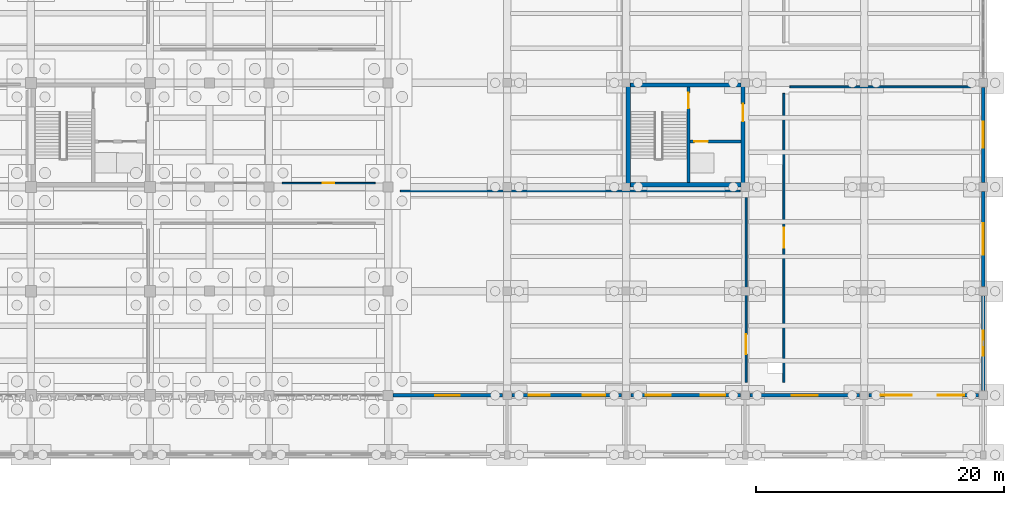
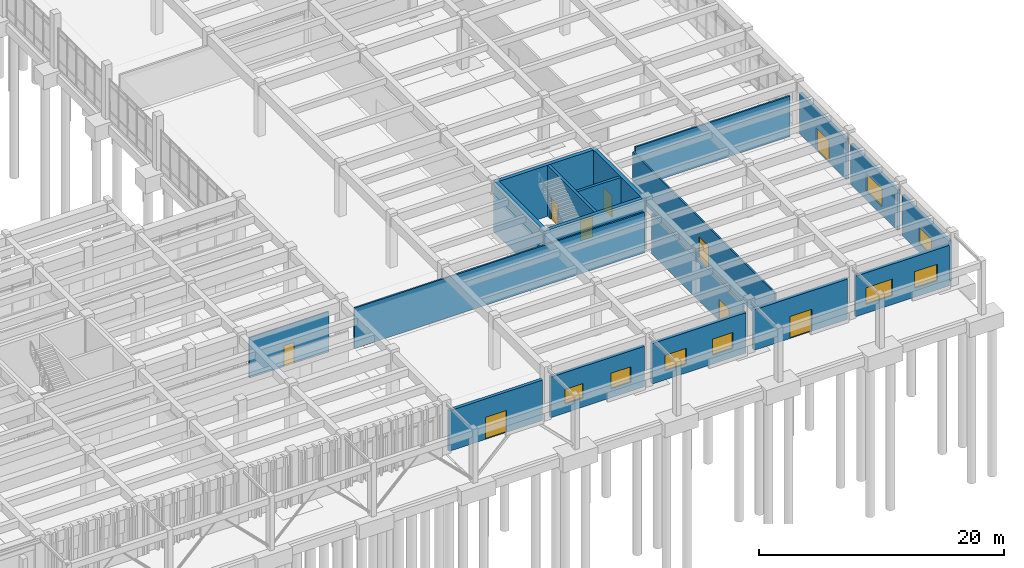
# One storey, part 83 of 102: 19 walls, 9 doors, 8 windows, 17 openings.
"""IFC4 building model written with IfcOpenShell, lengths in metres."""

from ifc_helpers import new_model, si_unit, direction, frame, frame_2d, origin, place, context, subcontext, project, spatial, rectangle, extrude, material, layer, layer_set, type_object, element, fill, save


model = new_model("IFC4")

# Units and contexts
model_context = context("Model", 3, precision=1e-05, world=origin(), true_north=direction((0.0, 1.0)))
body_context = subcontext(model_context, "Body", "Model", "MODEL_VIEW")
ifc_project = project(units=[si_unit("LENGTHUNIT", "METRE"), si_unit("AREAUNIT", "SQUARE_METRE"), si_unit("VOLUMEUNIT", "CUBIC_METRE"), si_unit("PLANEANGLEUNIT", "RADIAN"), si_unit("MASSUNIT", "GRAM", prefix="KILO")], contexts=[model_context])

# Site, building, storey
site_placement = place(None, origin())
site = spatial("IfcSite", under=ifc_project, at=site_placement, CompositionType="ELEMENT")
building_placement = place(site_placement, origin())
building = spatial("IfcBuilding", under=site, at=building_placement, Name="Kolvemor Railside Polytechnic", CompositionType="ELEMENT")
storey_placement = place(building_placement, origin())
storey = spatial("IfcBuildingStorey", under=building, at=storey_placement, Name="L00", CompositionType="ELEMENT", Elevation=0.0)

# Walls
ifc_material_1 = material(Name="Concrete C40/50", Category="concrete")
ifc_layer_1 = layer(ifc_material_1, 0.35009765625, Name="WL-CORE-350")
ifc_layer_set_1 = layer_set([ifc_layer_1], Name="Concrete C40/50")
wall_type_1 = type_object("IfcWallType", Name="WL-CORE-350", PredefinedType="SHEAR", material=ifc_layer_set_1)
for number, where, z_axis, x_axis, name in (
    (1, (153.60009765625, 29.824951171875, 0.0), (0.0, 0.0, 1.0), (1.0, 0.0, 0.0), "CORE-6 North Core Wall L00"),
    (2, (153.60009765625, 21.77490234375, 0.0), (0.0, 0.0, 1.0), (1.0, 0.0, 0.0), "CORE-6 South Core Wall L00"),
):
    element("IfcWall", number, at=place(storey_placement, frame(where, z_axis=z_axis, x_axis=x_axis)), inside=storey, type_object=wall_type_1, Name=name, PredefinedType="SHEAR", context=body_context, shape_type="SweptSolid", body=[
        extrude(rectangle(XDim=9.599853515625, YDim=0.35009765625, at=frame_2d((4.7998046875, 0.0))), origin(), (0.0, 0.0, 1.0), 5.110107421875),
    ])
wall_1_placement = place(storey_placement, frame((153.77490234375, 21.60009765625, 0.0), z_axis=(0.0, 0.0, 1.0), x_axis=(0.0, 1.0, 0.0)))
element("IfcWall", 3, at=wall_1_placement, inside=storey, type_object=wall_type_1, Name="CORE-6 West Core Wall L00", PredefinedType="SHEAR", context=body_context, shape_type="SweptSolid", body=[
    extrude(rectangle(XDim=8.39990234375, YDim=0.35009765625, at=frame_2d((4.199951171875, 0.0))), origin(), (0.0, 0.0, 1.0), 5.110107421875),
])

# Wall, opening, door
wall_2_placement = place(storey_placement, frame((163.02490234375, 21.60009765625, 0.0), z_axis=(0.0, 0.0, 1.0), x_axis=(0.0, 1.0, 0.0)))
wall_2 = element("IfcWall", 4, at=wall_2_placement, inside=storey, type_object=wall_type_1, Name="CORE-6 East Core Wall L00", PredefinedType="SHEAR", context=body_context, shape_type="SweptSolid", body=[
    extrude(rectangle(XDim=8.39990234375, YDim=0.35009765625, at=frame_2d((4.199951171875, 0.0))), origin(), (0.0, 0.0, 1.0), 5.110107421875),
])
opening_1_placement = place(wall_2_placement, frame((5.300048828125, 0.0, 0.0)))
opening_1 = element("IfcOpeningElement", 5, at=opening_1_placement, cuts=wall_2, Name="Opening D-LOB-6-L00", PredefinedType="OPENING", context=body_context, shape_type="SweptSolid", body=[
    extrude(rectangle(XDim=1.39990234375, YDim=2.14990234375, at=frame_2d((0.699951171875, 1.074951171875))), frame((0.0, 0.18505859375, 0.0), z_axis=(0.0, -1.0, 0.0), x_axis=(1.0, 0.0, 0.0)), (0.0, 0.0, 1.0), 0.3701171875),
])
ifc_material_2 = material(Name="Fire-rated hardwood and brushed stainless-steel door", Category="steel")
door_type_1 = type_object("IfcDoorType", Name="DR-FD60-140x215", OperationType="NOTDEFINED", PredefinedType="DOOR", material=ifc_material_2)
door_1_placement = place(opening_1_placement, origin())
door_1 = element("IfcDoor", 6, at=door_1_placement, inside=storey, type_object=door_type_1, Name="Core Lobby Fire Door CORE-6 L00", OperationType="SINGLE_SWING_RIGHT", OverallHeight=2.14990234375, OverallWidth=1.39990234375, PredefinedType="DOOR", context=body_context, shape_type="SweptSolid", body=[
    extrude(rectangle(XDim=1.39990234375, YDim=2.14990234375, at=frame_2d((0.699951171875, 1.074951171875))), frame((0.0, 0.02490234375, 0.0), z_axis=(0.0, -1.0, 0.0), x_axis=(1.0, 0.0, 0.0)), (0.0, 0.0, 1.0), 0.050048828125),
])
fill(opening_1, door_1)

# Wall, opening, window
ifc_material_3 = material(Name="Precast concrete C40/50", Category="concrete")
ifc_layer_2 = layer(ifc_material_3, 0.27001953125, Name="WL-EXT-RC-270")
ifc_layer_set_2 = layer_set([ifc_layer_2], Name="Precast concrete C40/50")
wall_type_2 = type_object("IfcWallType", Name="WL-EXT-RC-270", PredefinedType="SOLIDWALL", material=ifc_layer_set_2)
wall_3_placement = place(storey_placement, frame((182.39990234375, 5.179931640625, 0.0), z_axis=(0.0, 0.0, 1.0), x_axis=(0.0, 1.0, 0.0)))
wall_3 = element("IfcWall", 7, at=wall_3_placement, inside=storey, type_object=wall_type_2, Name="Exterior Wall L00-0044", PredefinedType="SOLIDWALL", context=body_context, shape_type="SweptSolid", body=[
    extrude(rectangle(XDim=7.64013671875, YDim=0.27001953125, at=frame_2d((3.820068359375, 0.0))), origin(), (0.0, 0.0, 1.0), 4.0400390625),
])
opening_2_placement = place(wall_3_placement, frame((2.794921875, 0.0, 0.89990234375)))
opening_2 = element("IfcOpeningElement", 8, at=opening_2_placement, cuts=wall_3, Name="Opening WN-M08", PredefinedType="OPENING", context=body_context, shape_type="SweptSolid", body=[
    extrude(rectangle(XDim=2.050048828125, YDim=1.60009765625, at=frame_2d((1.02490234375, 0.800048828125))), frame((0.0, 0.14501953125, 0.0), z_axis=(0.0, -1.0, 0.0), x_axis=(1.0, 0.0, 0.0)), (0.0, 0.0, 1.0), 0.2900390625),
])
ifc_material_4 = material(Name="Hurricane-laminated thermally broken aluminium window", Category="aluminium")
window_type_1 = type_object("IfcWindowType", Name="WN-MOD-205x160", PartitioningType="DOUBLE_PANEL_VERTICAL", PredefinedType="WINDOW", material=ifc_material_4)
window_1_placement = place(opening_2_placement, origin())
window_1 = element("IfcWindow", 9, at=window_1_placement, inside=storey, type_object=window_type_1, Name="Window L00-0041", OverallHeight=1.60009765625, OverallWidth=2.050048828125, PartitioningType="SINGLE_PANEL", PredefinedType="WINDOW", context=body_context, shape_type="SweptSolid", body=[
    extrude(rectangle(XDim=2.050048828125, YDim=1.60009765625, at=frame_2d((1.02490234375, 0.800048828125))), frame((0.0, 0.030029296875, 0.0), z_axis=(0.0, -1.0, 0.0), x_axis=(1.0, 0.0, 0.0)), (0.0, 0.0, 1.0), 0.06005859375),
])
fill(opening_2, window_1)

wall_4_placement = place(storey_placement, frame((182.39990234375, 13.580078125, 0.0), z_axis=(0.0, 0.0, 1.0), x_axis=(0.0, 1.0, 0.0)))
wall_4 = element("IfcWall", 10, at=wall_4_placement, inside=storey, type_object=wall_type_2, Name="Exterior Wall L00-0047", PredefinedType="SOLIDWALL", context=body_context, shape_type="SweptSolid", body=[
    extrude(rectangle(XDim=7.639892578125, YDim=0.27001953125, at=frame_2d((3.81982421875, 0.0))), origin(), (0.0, 0.0, 1.0), 4.0400390625),
])
opening_3_placement = place(wall_4_placement, frame((2.544921875, 0.0, 0.89990234375)))
opening_3 = element("IfcOpeningElement", 11, at=opening_3_placement, cuts=wall_4, Name="Opening WN-M13", PredefinedType="OPENING", context=body_context, shape_type="SweptSolid", body=[
    extrude(rectangle(XDim=2.550048828125, YDim=1.75, at=frame_2d((1.27490234375, 0.875))), frame((0.0, 0.14501953125, 0.0), z_axis=(0.0, -1.0, 0.0), x_axis=(1.0, 0.0, 0.0)), (0.0, 0.0, 1.0), 0.2900390625),
])
ifc_material_5 = material(Name="Hurricane-laminated thermally broken aluminium window", Category="aluminium")
window_type_2 = type_object("IfcWindowType", Name="WN-MOD-255x175", PartitioningType="DOUBLE_PANEL_VERTICAL", PredefinedType="WINDOW", material=ifc_material_5)
window_2_placement = place(opening_3_placement, origin())
window_2 = element("IfcWindow", 12, at=window_2_placement, inside=storey, type_object=window_type_2, Name="Window L00-0044", OverallHeight=1.75, OverallWidth=2.550048828125, PartitioningType="SINGLE_PANEL", PredefinedType="WINDOW", context=body_context, shape_type="SweptSolid", body=[
    extrude(rectangle(XDim=2.550048828125, YDim=1.75, at=frame_2d((1.27490234375, 0.875))), frame((0.0, 0.030029296875, 0.0), z_axis=(0.0, -1.0, 0.0), x_axis=(1.0, 0.0, 0.0)), (0.0, 0.0, 1.0), 0.06005859375),
])
fill(opening_3, window_2)

# Wall, opening, door
wall_5_placement = place(storey_placement, frame((182.39990234375, 21.97998046875, 0.0), z_axis=(0.0, 0.0, 1.0), x_axis=(0.0, 1.0, 0.0)))
wall_5 = element("IfcWall", 13, at=wall_5_placement, inside=storey, type_object=wall_type_2, Name="Exterior Wall L00-0055", PredefinedType="SOLIDWALL", context=body_context, shape_type="SweptSolid", body=[
    extrude(rectangle(XDim=7.64013671875, YDim=0.27001953125, at=frame_2d((3.820068359375, 0.0))), origin(), (0.0, 0.0, 1.0), 4.0400390625),
])
opening_4_placement = place(wall_5_placement, frame((2.77001953125, 0.0, 0.0)))
opening_4 = element("IfcOpeningElement", 14, at=opening_4_placement, cuts=wall_5, Name="Opening EX-06", PredefinedType="OPENING", context=body_context, shape_type="SweptSolid", body=[
    extrude(rectangle(XDim=2.10009765625, YDim=2.199951171875, at=frame_2d((1.050048828125, 1.10009765625))), frame((0.0, 0.14501953125, 0.0), z_axis=(0.0, -1.0, 0.0), x_axis=(1.0, 0.0, 0.0)), (0.0, 0.0, 1.0), 0.2900390625),
])
ifc_material_6 = material(Name="Marine-grade thermally broken aluminium and laminated glass door", Category="aluminium")
door_type_2 = type_object("IfcDoorType", Name="DR-EXIT-210x220", OperationType="NOTDEFINED", PredefinedType="DOOR", material=ifc_material_6)
door_2_placement = place(opening_4_placement, origin())
door_2 = element("IfcDoor", 15, at=door_2_placement, inside=storey, type_object=door_type_2, Name="Exterior Door EX-06", OperationType="SINGLE_SWING_LEFT", OverallHeight=2.199951171875, OverallWidth=2.10009765625, PredefinedType="DOOR", context=body_context, shape_type="SweptSolid", body=[
    extrude(rectangle(XDim=2.10009765625, YDim=2.199951171875, at=frame_2d((1.050048828125, 1.10009765625))), frame((0.0, 0.02490234375, 0.0), z_axis=(0.0, -1.0, 0.0), x_axis=(1.0, 0.0, 0.0)), (0.0, 0.0, 1.0), 0.050048828125),
])
fill(opening_4, door_2)

ifc_material_7 = material(Name="Concrete C40/50", Category="concrete")
ifc_layer_3 = layer(ifc_material_7, 0.300048828125, Name="WL-EXT-RC-300")
ifc_layer_set_3 = layer_set([ifc_layer_3], Name="Concrete C40/50")
wall_type_3 = type_object("IfcWallType", Name="WL-EXT-RC-300", PredefinedType="SOLIDWALL", material=ifc_layer_set_3)
wall_6_placement = place(storey_placement, frame((134.780029296875, 4.800048828125, 0.0), z_axis=(0.0, 0.0, 1.0), x_axis=(1.0, 0.0, 0.0)))
wall_6 = element("IfcWall", 16, at=wall_6_placement, inside=storey, type_object=wall_type_3, Name="Exterior Wall L00-0100", PredefinedType="SOLIDWALL", context=body_context, shape_type="SweptSolid", body=[
    extrude(rectangle(XDim=8.840087890625, YDim=0.300048828125, at=frame_2d((4.419921875, 0.0))), origin(), (0.0, 0.0, 1.0), 4.0400390625),
])
opening_5_placement = place(wall_6_placement, frame((3.419921875, 0.0, 0.0)))
opening_5 = element("IfcOpeningElement", 17, at=opening_5_placement, cuts=wall_6, Name="Opening EX-15", PredefinedType="OPENING", context=body_context, shape_type="SweptSolid", body=[
    extrude(rectangle(XDim=2.0, YDim=2.199951171875, at=frame_2d((1.0, 1.10009765625))), frame((0.0, 0.159912109375, 0.0), z_axis=(0.0, -1.0, 0.0), x_axis=(1.0, 0.0, 0.0)), (0.0, 0.0, 1.0), 0.320068359375),
])
ifc_material_8 = material(Name="Marine-grade thermally broken aluminium and laminated glass door", Category="aluminium")
door_type_3 = type_object("IfcDoorType", Name="DR-EXIT-200x220", OperationType="NOTDEFINED", PredefinedType="DOOR", material=ifc_material_8)
door_3_placement = place(opening_5_placement, origin())
door_3 = element("IfcDoor", 18, at=door_3_placement, inside=storey, type_object=door_type_3, Name="Exterior Door EX-15", OperationType="SINGLE_SWING_LEFT", OverallHeight=2.199951171875, OverallWidth=2.0, PredefinedType="DOOR", context=body_context, shape_type="SweptSolid", body=[
    extrude(rectangle(XDim=2.0, YDim=2.199951171875, at=frame_2d((1.0, 1.10009765625))), frame((0.0, 0.02490234375, 0.0), z_axis=(0.0, -1.0, 0.0), x_axis=(1.0, 0.0, 0.0)), (0.0, 0.0, 1.0), 0.050048828125),
])
fill(opening_5, door_3)

# Wall, openings, windows
wall_7_placement = place(storey_placement, frame((144.3798828125, 4.800048828125, 0.0), z_axis=(0.0, 0.0, 1.0), x_axis=(1.0, 0.0, 0.0)))
wall_7 = element("IfcWall", 19, at=wall_7_placement, inside=storey, type_object=wall_type_3, Name="Exterior Wall L00-0101", PredefinedType="SOLIDWALL", context=body_context, shape_type="SweptSolid", body=[
    extrude(rectangle(XDim=8.840087890625, YDim=0.300048828125, at=frame_2d((4.419921875, 0.0))), origin(), (0.0, 0.0, 1.0), 4.0400390625),
])
opening_6_placement = place(wall_7_placement, frame((1.360107421875, 0.0, 0.89990234375)))
opening_6 = element("IfcOpeningElement", 20, at=opening_6_placement, cuts=wall_7, Name="Opening WN-M19", PredefinedType="OPENING", context=body_context, shape_type="SweptSolid", body=[
    extrude(rectangle(XDim=1.699951171875, YDim=1.449951171875, at=frame_2d((0.85009765625, 0.72509765625))), frame((0.0, 0.159912109375, 0.0), z_axis=(0.0, -1.0, 0.0), x_axis=(1.0, 0.0, 0.0)), (0.0, 0.0, 1.0), 0.320068359375),
])
opening_7_placement = place(wall_7_placement, frame((5.705078125, 0.0, 0.89990234375)))
opening_7 = element("IfcOpeningElement", 21, at=opening_7_placement, cuts=wall_7, Name="Opening WN-M06", PredefinedType="OPENING", context=body_context, shape_type="SweptSolid", body=[
    extrude(rectangle(XDim=1.85009765625, YDim=1.550048828125, at=frame_2d((0.925048828125, 0.77490234375))), frame((0.0, 0.159912109375, 0.0), z_axis=(0.0, -1.0, 0.0), x_axis=(1.0, 0.0, 0.0)), (0.0, 0.0, 1.0), 0.320068359375),
])
ifc_material_9 = material(Name="Hurricane-laminated thermally broken aluminium window", Category="aluminium")
window_type_3 = type_object("IfcWindowType", Name="WN-MOD-170x145", PartitioningType="SINGLE_PANEL", PredefinedType="WINDOW", material=ifc_material_9)
window_3_placement = place(opening_6_placement, origin())
window_3 = element("IfcWindow", 22, at=window_3_placement, inside=storey, type_object=window_type_3, Name="Window L00-0100", OverallHeight=1.449951171875, OverallWidth=1.699951171875, PartitioningType="SINGLE_PANEL", PredefinedType="WINDOW", context=body_context, shape_type="SweptSolid", body=[
    extrude(rectangle(XDim=1.699951171875, YDim=1.449951171875, at=frame_2d((0.85009765625, 0.72509765625))), frame((0.0, 0.030029296875, 0.0), z_axis=(0.0, -1.0, 0.0), x_axis=(1.0, 0.0, 0.0)), (0.0, 0.0, 1.0), 0.06005859375),
])
fill(opening_6, window_3)
ifc_material_10 = material(Name="Hurricane-laminated thermally broken aluminium window", Category="aluminium")
window_type_4 = type_object("IfcWindowType", Name="WN-MOD-185x155", PartitioningType="DOUBLE_PANEL_VERTICAL", PredefinedType="WINDOW", material=ifc_material_10)
window_4_placement = place(opening_7_placement, origin())
window_4 = element("IfcWindow", 23, at=window_4_placement, inside=storey, type_object=window_type_4, Name="Window L00-0101", OverallHeight=1.550048828125, OverallWidth=1.85009765625, PartitioningType="SINGLE_PANEL", PredefinedType="WINDOW", context=body_context, shape_type="SweptSolid", body=[
    extrude(rectangle(XDim=1.85009765625, YDim=1.550048828125, at=frame_2d((0.925048828125, 0.77490234375))), frame((0.0, 0.030029296875, 0.0), z_axis=(0.0, -1.0, 0.0), x_axis=(1.0, 0.0, 0.0)), (0.0, 0.0, 1.0), 0.06005859375),
])
fill(opening_7, window_4)

wall_8_placement = place(storey_placement, frame((153.97998046875, 4.800048828125, 0.0), z_axis=(0.0, 0.0, 1.0), x_axis=(1.0, 0.0, 0.0)))
wall_8 = element("IfcWall", 24, at=wall_8_placement, inside=storey, type_object=wall_type_3, Name="Exterior Wall L00-0102", PredefinedType="SOLIDWALL", context=body_context, shape_type="SweptSolid", body=[
    extrude(rectangle(XDim=8.840087890625, YDim=0.300048828125, at=frame_2d((4.419921875, 0.0))), origin(), (0.0, 0.0, 1.0), 4.0400390625),
])
opening_8_placement = place(wall_8_placement, frame((1.2099609375, 0.0, 0.89990234375)))
opening_8 = element("IfcOpeningElement", 25, at=opening_8_placement, cuts=wall_8, Name="Opening WN-M20", PredefinedType="OPENING", context=body_context, shape_type="SweptSolid", body=[
    extrude(rectangle(XDim=2.0, YDim=1.550048828125, at=frame_2d((1.0, 0.77490234375))), frame((0.0, 0.159912109375, 0.0), z_axis=(0.0, -1.0, 0.0), x_axis=(1.0, 0.0, 0.0)), (0.0, 0.0, 1.0), 0.320068359375),
])
opening_9_placement = place(wall_8_placement, frame((5.655029296875, 0.0, 0.89990234375)))
opening_9 = element("IfcOpeningElement", 26, at=opening_9_placement, cuts=wall_8, Name="Opening WN-M07", PredefinedType="OPENING", context=body_context, shape_type="SweptSolid", body=[
    extrude(rectangle(XDim=1.949951171875, YDim=1.60009765625, at=frame_2d((0.97509765625, 0.800048828125))), frame((0.0, 0.159912109375, 0.0), z_axis=(0.0, -1.0, 0.0), x_axis=(1.0, 0.0, 0.0)), (0.0, 0.0, 1.0), 0.320068359375),
])
ifc_material_11 = material(Name="Hurricane-laminated thermally broken aluminium window", Category="aluminium")
window_type_5 = type_object("IfcWindowType", Name="WN-MOD-195x160", PartitioningType="DOUBLE_PANEL_VERTICAL", PredefinedType="WINDOW", material=ifc_material_11)
window_5_placement = place(opening_9_placement, origin())
window_5 = element("IfcWindow", 27, at=window_5_placement, inside=storey, type_object=window_type_5, Name="Window L00-0103", OverallHeight=1.60009765625, OverallWidth=1.949951171875, PartitioningType="SINGLE_PANEL", PredefinedType="WINDOW", context=body_context, shape_type="SweptSolid", body=[
    extrude(rectangle(XDim=1.949951171875, YDim=1.60009765625, at=frame_2d((0.97509765625, 0.800048828125))), frame((0.0, 0.030029296875, 0.0), z_axis=(0.0, -1.0, 0.0), x_axis=(1.0, 0.0, 0.0)), (0.0, 0.0, 1.0), 0.06005859375),
])
fill(opening_9, window_5)
ifc_material_12 = material(Name="Hurricane-laminated thermally broken aluminium window", Category="aluminium")
window_type_6 = type_object("IfcWindowType", Name="WN-MOD-200x155", PartitioningType="DOUBLE_PANEL_VERTICAL", PredefinedType="WINDOW", material=ifc_material_12)
window_6_placement = place(opening_8_placement, origin())
window_6 = element("IfcWindow", 28, at=window_6_placement, inside=storey, type_object=window_type_6, Name="Window L00-0102", OverallHeight=1.550048828125, OverallWidth=2.0, PartitioningType="SINGLE_PANEL", PredefinedType="WINDOW", context=body_context, shape_type="SweptSolid", body=[
    extrude(rectangle(XDim=2.0, YDim=1.550048828125, at=frame_2d((1.0, 0.77490234375))), frame((0.0, 0.030029296875, 0.0), z_axis=(0.0, -1.0, 0.0), x_axis=(1.0, 0.0, 0.0)), (0.0, 0.0, 1.0), 0.06005859375),
])
fill(opening_8, window_6)

# Wall, opening, door
wall_9_placement = place(storey_placement, frame((163.580078125, 4.800048828125, 0.0), z_axis=(0.0, 0.0, 1.0), x_axis=(1.0, 0.0, 0.0)))
wall_9 = element("IfcWall", 29, at=wall_9_placement, inside=storey, type_object=wall_type_3, Name="Exterior Wall L00-0103", PredefinedType="SOLIDWALL", context=body_context, shape_type="SweptSolid", body=[
    extrude(rectangle(XDim=8.83984375, YDim=0.300048828125, at=frame_2d((4.419921875, 0.0))), origin(), (0.0, 0.0, 1.0), 4.0400390625),
])
opening_10_placement = place(wall_9_placement, frame((3.3701171875, 0.0, 0.0)))
opening_10 = element("IfcOpeningElement", 30, at=opening_10_placement, cuts=wall_9, Name="Opening EX-16", PredefinedType="OPENING", context=body_context, shape_type="SweptSolid", body=[
    extrude(rectangle(XDim=2.10009765625, YDim=2.199951171875, at=frame_2d((1.050048828125, 1.10009765625))), frame((0.0, 0.159912109375, 0.0), z_axis=(0.0, -1.0, 0.0), x_axis=(1.0, 0.0, 0.0)), (0.0, 0.0, 1.0), 0.320068359375),
])
door_4_placement = place(opening_10_placement, origin())
door_4 = element("IfcDoor", 31, at=door_4_placement, inside=storey, type_object=door_type_2, Name="Exterior Door EX-16", OperationType="SINGLE_SWING_RIGHT", OverallHeight=2.199951171875, OverallWidth=2.10009765625, PredefinedType="DOOR", context=body_context, shape_type="SweptSolid", body=[
    extrude(rectangle(XDim=2.10009765625, YDim=2.199951171875, at=frame_2d((1.050048828125, 1.10009765625))), frame((0.0, 0.02490234375, 0.0), z_axis=(0.0, -1.0, 0.0), x_axis=(1.0, 0.0, 0.0)), (0.0, 0.0, 1.0), 0.050048828125),
])
fill(opening_10, door_4)

# Wall, openings, windows
wall_10_placement = place(storey_placement, frame((173.179931640625, 4.800048828125, 0.0), z_axis=(0.0, 0.0, 1.0), x_axis=(1.0, 0.0, 0.0)))
wall_10 = element("IfcWall", 32, at=wall_10_placement, inside=storey, type_object=wall_type_3, Name="Exterior Wall L00-0104", PredefinedType="SOLIDWALL", context=body_context, shape_type="SweptSolid", body=[
    extrude(rectangle(XDim=8.840087890625, YDim=0.300048828125, at=frame_2d((4.419921875, 0.0))), origin(), (0.0, 0.0, 1.0), 4.0400390625),
])
opening_11_placement = place(wall_10_placement, frame((0.9599609375, 0.0, 0.89990234375)))
opening_11 = element("IfcOpeningElement", 33, at=opening_11_placement, cuts=wall_10, Name="Opening WN-M22", PredefinedType="OPENING", context=body_context, shape_type="SweptSolid", body=[
    extrude(rectangle(XDim=2.5, YDim=1.64990234375, at=frame_2d((1.25, 0.824951171875))), frame((0.0, 0.159912109375, 0.0), z_axis=(0.0, -1.0, 0.0), x_axis=(1.0, 0.0, 0.0)), (0.0, 0.0, 1.0), 0.320068359375),
])
opening_12_placement = place(wall_10_placement, frame((5.554931640625, 0.0, 0.89990234375)))
opening_12 = element("IfcOpeningElement", 34, at=opening_12_placement, cuts=wall_10, Name="Opening WN-M09", PredefinedType="OPENING", context=body_context, shape_type="SweptSolid", body=[
    extrude(rectangle(XDim=2.14990234375, YDim=1.64990234375, at=frame_2d((1.074951171875, 0.824951171875))), frame((0.0, 0.159912109375, 0.0), z_axis=(0.0, -1.0, 0.0), x_axis=(1.0, 0.0, 0.0)), (0.0, 0.0, 1.0), 0.320068359375),
])
ifc_material_13 = material(Name="Hurricane-laminated thermally broken aluminium window", Category="aluminium")
window_type_7 = type_object("IfcWindowType", Name="WN-MOD-215x165", PartitioningType="DOUBLE_PANEL_VERTICAL", PredefinedType="WINDOW", material=ifc_material_13)
window_7_placement = place(opening_12_placement, origin())
window_7 = element("IfcWindow", 35, at=window_7_placement, inside=storey, type_object=window_type_7, Name="Window L00-0105", OverallHeight=1.64990234375, OverallWidth=2.14990234375, PartitioningType="SINGLE_PANEL", PredefinedType="WINDOW", context=body_context, shape_type="SweptSolid", body=[
    extrude(rectangle(XDim=2.14990234375, YDim=1.64990234375, at=frame_2d((1.074951171875, 0.824951171875))), frame((0.0, 0.030029296875, 0.0), z_axis=(0.0, -1.0, 0.0), x_axis=(1.0, 0.0, 0.0)), (0.0, 0.0, 1.0), 0.06005859375),
])
fill(opening_12, window_7)
ifc_material_14 = material(Name="Hurricane-laminated thermally broken aluminium window", Category="aluminium")
window_type_8 = type_object("IfcWindowType", Name="WN-MOD-250x165", PartitioningType="DOUBLE_PANEL_VERTICAL", PredefinedType="WINDOW", material=ifc_material_14)
window_8_placement = place(opening_11_placement, origin())
window_8 = element("IfcWindow", 36, at=window_8_placement, inside=storey, type_object=window_type_8, Name="Window L00-0104", OverallHeight=1.64990234375, OverallWidth=2.5, PartitioningType="SINGLE_PANEL", PredefinedType="WINDOW", context=body_context, shape_type="SweptSolid", body=[
    extrude(rectangle(XDim=2.5, YDim=1.64990234375, at=frame_2d((1.25, 0.824951171875))), frame((0.0, 0.030029296875, 0.0), z_axis=(0.0, -1.0, 0.0), x_axis=(1.0, 0.0, 0.0)), (0.0, 0.0, 1.0), 0.06005859375),
])
fill(opening_11, window_8)

# Wall, opening, door
ifc_material_15 = material(Name="Wet-area tile-backer partition")
ifc_layer_4 = layer(ifc_material_15, 0.1201171875, Name="WL-PART-120")
ifc_layer_set_4 = layer_set([ifc_layer_4], Name="Wet-area tile-backer partition")
wall_type_4 = type_object("IfcWallType", Name="WL-PART-120", PredefinedType="PARTITIONING", material=ifc_layer_set_4)
wall_11_placement = place(storey_placement, frame((125.85009765625, 21.919921875, 0.0), z_axis=(0.0, 0.0, 1.0), x_axis=(1.0, 0.0, 0.0)))
wall_11 = element("IfcWall", 37, at=wall_11_placement, inside=storey, type_object=wall_type_4, Name="Partition Wall L00-0055", PredefinedType="PARTITIONING", context=body_context, shape_type="SweptSolid", body=[
    extrude(rectangle(XDim=7.5, YDim=0.1201171875, at=frame_2d((3.75, 0.0))), origin(), (0.0, 0.0, 1.0), 4.0400390625),
])
opening_13_placement = place(wall_11_placement, frame((3.27490234375, 0.0, 0.0)))
opening_13 = element("IfcOpeningElement", 38, at=opening_13_placement, cuts=wall_11, Name="Opening D-00032", PredefinedType="OPENING", context=body_context, shape_type="SweptSolid", body=[
    extrude(rectangle(XDim=0.949951171875, YDim=2.10009765625, at=frame_2d((0.47509765625, 1.050048828125))), frame((0.0, 0.070068359375, 0.0), z_axis=(0.0, -1.0, 0.0), x_axis=(1.0, 0.0, 0.0)), (0.0, 0.0, 1.0), 0.14013671875),
])
ifc_material_16 = material(Name="Solid hardwood acoustic door", Category="wood")
door_type_4 = type_object("IfcDoorType", Name="DR-WC-095x210", OperationType="NOTDEFINED", PredefinedType="DOOR", material=ifc_material_16)
door_5_placement = place(opening_13_placement, origin())
door_5 = element("IfcDoor", 39, at=door_5_placement, inside=storey, type_object=door_type_4, Name="Room Door D-00032 (Main Stack Accessible WC L00)", OperationType="SINGLE_SWING_LEFT", OverallHeight=2.10009765625, OverallWidth=0.949951171875, PredefinedType="DOOR", context=body_context, shape_type="SweptSolid", body=[
    extrude(rectangle(XDim=0.949951171875, YDim=2.10009765625, at=frame_2d((0.47509765625, 1.050048828125))), frame((0.0, 0.02490234375, 0.0), z_axis=(0.0, -1.0, 0.0), x_axis=(1.0, 0.0, 0.0)), (0.0, 0.0, 1.0), 0.050048828125),
])
fill(opening_13, door_5)

ifc_material_17 = material(Name="Acoustic studio partition")
ifc_layer_5 = layer(ifc_material_17, 0.14990234375, Name="WL-PART-150")
ifc_layer_set_5 = layer_set([ifc_layer_5], Name="Acoustic studio partition")
wall_type_5 = type_object("IfcWallType", Name="WL-PART-150", PredefinedType="PARTITIONING", material=ifc_layer_set_5)
wall_12_placement = place(storey_placement, frame((163.280029296875, 5.85009765625, 0.0), z_axis=(0.0, 0.0, 1.0), x_axis=(0.0, 1.0, 0.0)))
wall_12 = element("IfcWall", 40, at=wall_12_placement, inside=storey, type_object=wall_type_5, Name="Partition Wall L00-0065", PredefinedType="PARTITIONING", context=body_context, shape_type="SweptSolid", body=[
    extrude(rectangle(XDim=14.89990234375, YDim=0.14990234375, at=frame_2d((7.449951171875, 0.0))), origin(), (0.0, 0.0, 1.0), 4.0400390625),
])
opening_14_placement = place(wall_12_placement, frame((2.27490234375, 0.0, 0.0)))
opening_14 = element("IfcOpeningElement", 41, at=opening_14_placement, cuts=wall_12, Name="Opening D-00038", PredefinedType="OPENING", context=body_context, shape_type="SweptSolid", body=[
    extrude(rectangle(XDim=1.60009765625, YDim=2.14990234375, at=frame_2d((0.800048828125, 1.074951171875))), frame((0.0, 0.0849609375, 0.0), z_axis=(0.0, -1.0, 0.0), x_axis=(1.0, 0.0, 0.0)), (0.0, 0.0, 1.0), 0.169921875),
])
ifc_material_18 = material(Name="Fire-rated hardwood and brushed stainless-steel door", Category="steel")
door_type_5 = type_object("IfcDoorType", Name="DR-FD60-160x215", OperationType="NOTDEFINED", PredefinedType="DOOR", material=ifc_material_18)
door_6_placement = place(opening_14_placement, origin())
door_6 = element("IfcDoor", 42, at=door_6_placement, inside=storey, type_object=door_type_5, Name="Room Door D-00038 (Student Union Commons)", OperationType="SINGLE_SWING_LEFT", OverallHeight=2.14990234375, OverallWidth=1.60009765625, PredefinedType="DOOR", context=body_context, shape_type="SweptSolid", body=[
    extrude(rectangle(XDim=1.60009765625, YDim=2.14990234375, at=frame_2d((0.800048828125, 1.074951171875))), frame((0.0, 0.02490234375, 0.0), z_axis=(0.0, -1.0, 0.0), x_axis=(1.0, 0.0, 0.0)), (0.0, 0.0, 1.0), 0.050048828125),
])
fill(opening_14, door_6)

# Wall
wall_13_placement = place(storey_placement, frame((135.39990234375, 21.280029296875, 0.0), z_axis=(0.0, 0.0, 1.0), x_axis=(1.0, 0.0, 0.0)))
element("IfcWall", 43, at=wall_13_placement, inside=storey, type_object=wall_type_5, Name="Demising Partition L00-0066", PredefinedType="PARTITIONING", context=body_context, shape_type="SweptSolid", body=[
    extrude(rectangle(XDim=27.400146484375, YDim=0.14990234375, at=frame_2d((13.7001953125, 0.0))), origin(), (0.0, 0.0, 1.0), 4.0400390625),
])

# Wall, opening, door
wall_14_placement = place(storey_placement, frame((166.320068359375, 5.85009765625, 0.0), z_axis=(0.0, 0.0, 1.0), x_axis=(0.0, 1.0, 0.0)))
wall_14 = element("IfcWall", 44, at=wall_14_placement, inside=storey, type_object=wall_type_5, Name="Partition Wall L00-0067", PredefinedType="PARTITIONING", context=body_context, shape_type="SweptSolid", body=[
    extrude(rectangle(XDim=23.2998046875, YDim=0.14990234375, at=frame_2d((11.64990234375, 0.0))), origin(), (0.0, 0.0, 1.0), 4.0400390625),
])
opening_15_placement = place(wall_14_placement, frame((10.85009765625, 0.0, 0.0)))
opening_15 = element("IfcOpeningElement", 45, at=opening_15_placement, cuts=wall_14, Name="Opening D-00039", PredefinedType="OPENING", context=body_context, shape_type="SweptSolid", body=[
    extrude(rectangle(XDim=1.60009765625, YDim=2.14990234375, at=frame_2d((0.800048828125, 1.074951171875))), frame((0.0, 0.0849609375, 0.0), z_axis=(0.0, -1.0, 0.0), x_axis=(1.0, 0.0, 0.0)), (0.0, 0.0, 1.0), 0.169921875),
])
door_7_placement = place(opening_15_placement, origin())
door_7 = element("IfcDoor", 46, at=door_7_placement, inside=storey, type_object=door_type_5, Name="Room Door D-00039 (Campus Technical Bookshop and Cafe)", OperationType="SINGLE_SWING_RIGHT", OverallHeight=2.14990234375, OverallWidth=1.60009765625, PredefinedType="DOOR", context=body_context, shape_type="SweptSolid", body=[
    extrude(rectangle(XDim=1.60009765625, YDim=2.14990234375, at=frame_2d((0.800048828125, 1.074951171875))), frame((0.0, 0.02490234375, 0.0), z_axis=(0.0, -1.0, 0.0), x_axis=(1.0, 0.0, 0.0)), (0.0, 0.0, 1.0), 0.050048828125),
])
fill(opening_15, door_7)

# Wall
wall_15_placement = place(storey_placement, frame((166.800048828125, 29.679931640625, 0.0), z_axis=(0.0, 0.0, 1.0), x_axis=(1.0, 0.0, 0.0)))
element("IfcWall", 47, at=wall_15_placement, inside=storey, type_object=wall_type_5, Name="Demising Partition L00-0068", PredefinedType="PARTITIONING", context=body_context, shape_type="SweptSolid", body=[
    extrude(rectangle(XDim=14.599853515625, YDim=0.14990234375, at=frame_2d((7.2998046875, 0.0))), origin(), (0.0, 0.0, 1.0), 4.0400390625),
])

# Wall, opening, door
ifc_material_19 = material(Name="Concrete C40/50", Category="concrete")
ifc_layer_6 = layer(ifc_material_19, 0.25, Name="WL-SHFT-250")
ifc_layer_set_6 = layer_set([ifc_layer_6], Name="Concrete C40/50")
wall_type_6 = type_object("IfcWallType", Name="WL-SHFT-250", PredefinedType="SHEAR", material=ifc_layer_set_6)
wall_16_placement = place(storey_placement, frame((158.625, 29.64990234375, 0.0), z_axis=(0.0, 0.0, 1.0), x_axis=(0.0, -1.0, 0.0)))
wall_16 = element("IfcWall", 48, at=wall_16_placement, inside=storey, type_object=wall_type_6, Name="CORE-6 Stair-Lobby Divider Wall L00", PredefinedType="SHEAR", context=body_context, shape_type="SweptSolid", body=[
    extrude(rectangle(XDim=7.699951171875, YDim=0.25, at=frame_2d((3.85009765625, 0.0))), origin(), (0.0, 0.0, 1.0), 5.110107421875),
])
opening_16_placement = place(wall_16_placement, frame((0.449951171875, 0.0, 0.0)))
opening_16 = element("IfcOpeningElement", 49, at=opening_16_placement, cuts=wall_16, Name="Opening D-ST-6-L00", PredefinedType="OPENING", context=body_context, shape_type="SweptSolid", body=[
    extrude(rectangle(XDim=1.25, YDim=2.14990234375, at=frame_2d((0.625, 1.074951171875))), frame((0.0, 0.135009765625, 0.0), z_axis=(0.0, -1.0, 0.0), x_axis=(1.0, 0.0, 0.0)), (0.0, 0.0, 1.0), 0.27001953125),
])
ifc_material_20 = material(Name="Fire-rated hardwood and brushed stainless-steel door", Category="steel")
door_type_6 = type_object("IfcDoorType", Name="DR-FD90-125x215", OperationType="NOTDEFINED", PredefinedType="DOOR", material=ifc_material_20)
door_8_placement = place(opening_16_placement, origin())
door_8 = element("IfcDoor", 50, at=door_8_placement, inside=storey, type_object=door_type_6, Name="Stair Fire Door ST-6 L00", OperationType="SINGLE_SWING_LEFT", OverallHeight=2.14990234375, OverallWidth=1.25, PredefinedType="DOOR", context=body_context, shape_type="SweptSolid", body=[
    extrude(rectangle(XDim=1.25, YDim=2.14990234375, at=frame_2d((0.625, 1.074951171875))), frame((0.0, 0.02490234375, 0.0), z_axis=(0.0, -1.0, 0.0), x_axis=(1.0, 0.0, 0.0)), (0.0, 0.0, 1.0), 0.050048828125),
])
fill(opening_16, door_8)

wall_17_placement = place(storey_placement, frame((158.75, 25.27490234375, 0.0), z_axis=(0.0, 0.0, 1.0), x_axis=(1.0, 0.0, 0.0)))
wall_17 = element("IfcWall", 51, at=wall_17_placement, inside=storey, type_object=wall_type_6, Name="CORE-6 Lift Shaft Front Wall L00", PredefinedType="SHEAR", context=body_context, shape_type="SweptSolid", body=[
    extrude(rectangle(XDim=4.10009765625, YDim=0.25, at=frame_2d((2.050048828125, 0.0))), origin(), (0.0, 0.0, 1.0), 5.110107421875),
])
opening_17_placement = place(wall_17_placement, frame((0.35009765625, 0.0, 0.0)))
opening_17 = element("IfcOpeningElement", 52, at=opening_17_placement, cuts=wall_17, Name="Opening LD-PL-4-L00", PredefinedType="OPENING", context=body_context, shape_type="SweptSolid", body=[
    extrude(rectangle(XDim=1.10009765625, YDim=2.14990234375, at=frame_2d((0.550048828125, 1.074951171875))), frame((0.0, 0.135009765625, 0.0), z_axis=(0.0, -1.0, 0.0), x_axis=(1.0, 0.0, 0.0)), (0.0, 0.0, 1.0), 0.27001953125),
])
ifc_material_21 = material(Name="Fire-rated hardwood and brushed stainless-steel door", Category="steel")
door_type_7 = type_object("IfcDoorType", Name="DR-LIFT-110x215", OperationType="SLIDING_TO_LEFT", PredefinedType="DOOR", material=ifc_material_21)
door_9_placement = place(opening_17_placement, origin())
door_9 = element("IfcDoor", 53, at=door_9_placement, inside=storey, type_object=door_type_7, Name="Lift Landing Sliding Door PL-4 L00", OperationType="SLIDING_TO_LEFT", OverallHeight=2.14990234375, OverallWidth=1.10009765625, PredefinedType="DOOR", context=body_context, shape_type="SweptSolid", body=[
    extrude(rectangle(XDim=1.10009765625, YDim=2.14990234375, at=frame_2d((0.550048828125, 1.074951171875))), frame((0.0, 0.02490234375, 0.0), z_axis=(0.0, -1.0, 0.0), x_axis=(1.0, 0.0, 0.0)), (0.0, 0.0, 1.0), 0.050048828125),
])
fill(opening_17, door_9)

save(model, "model.ifc")
